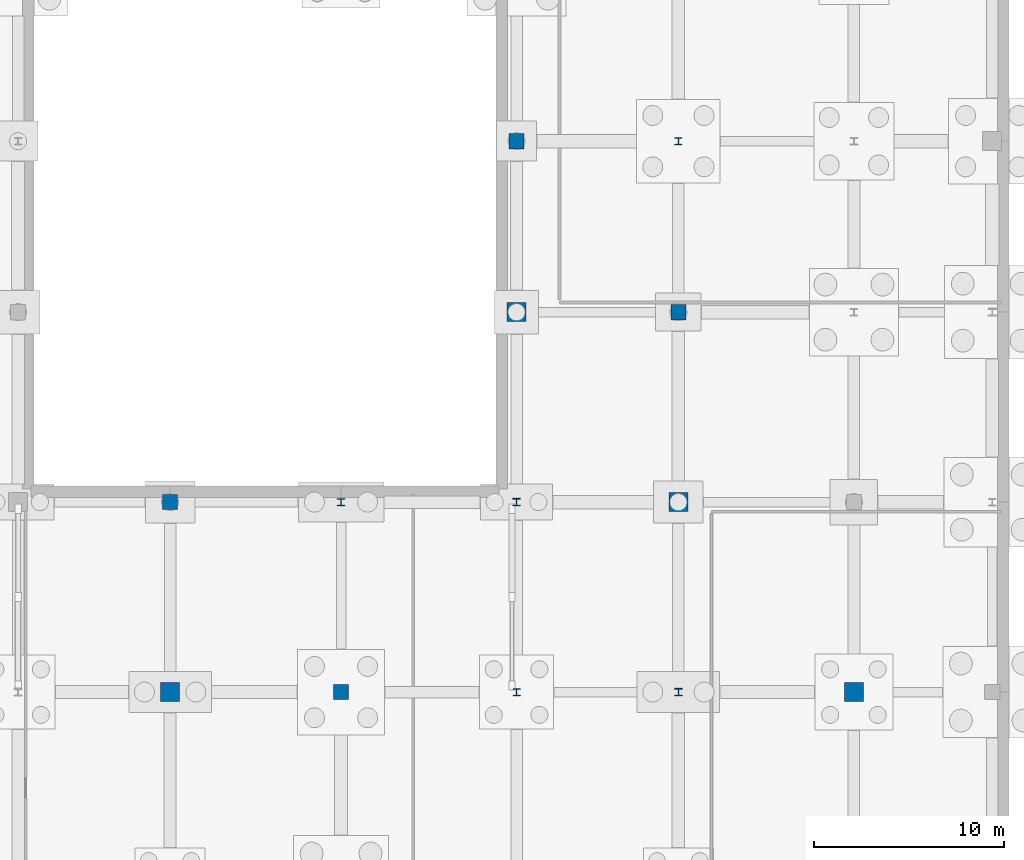
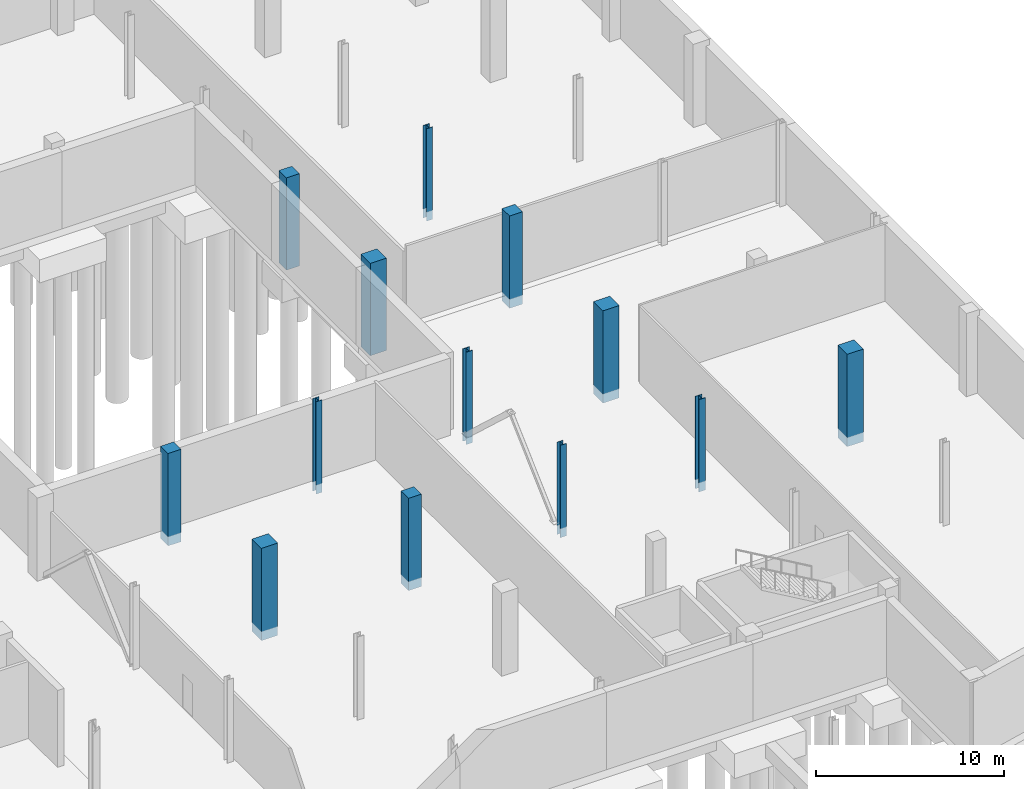
# One storey, part 33 of 60: 13 columns.
"""IFC4 building model written with IfcOpenShell, lengths in metres."""

from ifc_helpers import new_model, si_unit, direction, frame, origin, origin_2d, place, context, subcontext, project, spatial, rectangle, i_section, extrude, material, material_profile, profile_set, type_object, element, save


model = new_model("IFC4")

# Units and contexts
model_context = context("Model", 3, precision=1e-05, world=origin(), true_north=direction((0.0, 1.0)))
body_context = subcontext(model_context, "Body", "Model", "MODEL_VIEW")
ifc_project = project(units=[si_unit("LENGTHUNIT", "METRE"), si_unit("AREAUNIT", "SQUARE_METRE"), si_unit("VOLUMEUNIT", "CUBIC_METRE"), si_unit("PLANEANGLEUNIT", "RADIAN"), si_unit("MASSUNIT", "GRAM", prefix="KILO")], contexts=[model_context])

# Site, building, storey
site_placement = place(None, origin())
site = spatial("IfcSite", under=ifc_project, at=site_placement, CompositionType="ELEMENT")
building_placement = place(site_placement, origin())
building = spatial("IfcBuilding", under=site, at=building_placement, Name="Trimount Lyric Opera House", CompositionType="ELEMENT")
storey_placement = place(building_placement, frame((0.0, 0.0, -5.39990234375)))
storey = spatial("IfcBuildingStorey", under=building, at=storey_placement, Name="B1", CompositionType="ELEMENT", Elevation=-5.39990234375)

# Columns
ifc_material_1 = material(Name="Steel ASTM A992 Grade 50", Category="steel")
ifc_material_profile_1 = material_profile(ifc_material_1, i_section(OverallWidth=0.39892578125, OverallDepth=0.385986328125, WebThickness=0.02099609375, FlangeThickness=0.033203125, FilletRadius=0.01611328125, at=origin_2d()), Name="W14X176")
ifc_profile_set_1 = profile_set([ifc_material_profile_1], Name="Steel ASTM A992 Grade 50")
column_type_1 = type_object("IfcColumnType", Name="C-03", PredefinedType="COLUMN", material=ifc_profile_set_1)
for number, where, z_axis, x_axis, name in (
    (1, (148.239990234375, 74.0, -0.60009765625), (0.0, 0.0, 1.0), (1.0, 0.0, 0.0), "B1 column 17/J"),
    (2, (156.760009765625, 64.0, -0.60009765625), (0.0, 0.0, 1.0), (1.0, 0.0, 0.0), "B1 column 18/H"),
):
    element("IfcColumn", number, at=place(storey_placement, frame(where, z_axis=z_axis, x_axis=x_axis)), inside=storey, type_object=column_type_1, Name=name, PredefinedType="COLUMN", context=body_context, shape_type="SweptSolid", body=[
        extrude(i_section(OverallWidth=0.39892578125, OverallDepth=0.385986328125, WebThickness=0.02099609375, FlangeThickness=0.033203125, FilletRadius=0.01611328125, at=origin_2d()), origin(), (0.0, 0.0, 1.0), 6.0),
    ])
ifc_material_2 = material(Name="Steel ASTM A992 Grade 50", Category="steel")
ifc_material_profile_2 = material_profile(ifc_material_2, i_section(OverallWidth=0.373046875, OverallDepth=0.367919921875, WebThickness=0.014892578125, FlangeThickness=0.02392578125, FilletRadius=0.014892578125, at=origin_2d()), Name="W14X120")
ifc_profile_set_2 = profile_set([ifc_material_profile_2], Name="Steel ASTM A992 Grade 50")
column_type_2 = type_object("IfcColumnType", Name="C-08", PredefinedType="COLUMN", material=ifc_profile_set_2)
for number, where, z_axis, x_axis, name in (
    (3, (139.0, 74.0, -0.60009765625), (0.0, 0.0, 1.0), (1.0, 0.0, 0.0), "B1 column 16/J"),
    (4, (148.239990234375, 64.0, -0.60009765625), (0.0, 0.0, 1.0), (1.0, 0.0, 0.0), "B1 column 17/H"),
    (5, (156.760009765625, 93.0, -0.60009765625), (0.0, 0.0, 1.0), (1.0, 0.0, 0.0), "B1 column 18/L"),
):
    element("IfcColumn", number, at=place(storey_placement, frame(where, z_axis=z_axis, x_axis=x_axis)), inside=storey, type_object=column_type_2, Name=name, PredefinedType="COLUMN", context=body_context, shape_type="SweptSolid", body=[
        extrude(i_section(OverallWidth=0.373046875, OverallDepth=0.367919921875, WebThickness=0.014892578125, FlangeThickness=0.02392578125, FilletRadius=0.014892578125, at=origin_2d()), origin(), (0.0, 0.0, 1.0), 6.0),
    ])
ifc_material_3 = material(Name="Concrete C50/60", Category="concrete")
ifc_material_profile_3 = material_profile(ifc_material_3, rectangle(XDim=1.0, YDim=1.0, at=origin_2d()), Name="RC1000X1000")
ifc_profile_set_3 = profile_set([ifc_material_profile_3], Name="Concrete C50/60")
column_type_3 = type_object("IfcColumnType", Name="C-12", PredefinedType="COLUMN", material=ifc_profile_set_3)
for number, where, z_axis, x_axis, name in (
    (6, (130.0, 64.0, -0.60009765625), (0.0, 0.0, 1.0), (1.0, 0.0, 0.0), "B1 column 15/H"),
    (7, (148.239990234375, 84.0, -0.60009765625), (0.0, 0.0, 1.0), (1.0, 0.0, 0.0), "B1 column 17/K"),
    (8, (156.760009765625, 74.0, -0.60009765625), (0.0, 0.0, 1.0), (1.0, 0.0, 0.0), "B1 column 18/J"),
    (9, (166.0, 64.0, -0.60009765625), (0.0, 0.0, 1.0), (1.0, 0.0, 0.0), "B1 column 19/H"),
):
    element("IfcColumn", number, at=place(storey_placement, frame(where, z_axis=z_axis, x_axis=x_axis)), inside=storey, type_object=column_type_3, Name=name, PredefinedType="COLUMN", context=body_context, shape_type="SweptSolid", body=[
        extrude(rectangle(XDim=1.0, YDim=1.0, at=origin_2d()), origin(), (0.0, 0.0, 1.0), 6.0),
    ])
ifc_material_4 = material(Name="Concrete C40/50", Category="concrete")
ifc_material_profile_4 = material_profile(ifc_material_4, rectangle(XDim=0.800048828125, YDim=0.800048828125, at=origin_2d()), Name="RC800X800")
ifc_profile_set_4 = profile_set([ifc_material_profile_4], Name="Concrete C40/50")
column_type_4 = type_object("IfcColumnType", Name="C-14", PredefinedType="COLUMN", material=ifc_profile_set_4)
for number, where, z_axis, x_axis, name in (
    (10, (130.0, 74.0, -0.60009765625), (0.0, 0.0, 1.0), (1.0, 0.0, 0.0), "B1 column 15/J"),
    (11, (139.0, 64.0, -0.60009765625), (0.0, 0.0, 1.0), (1.0, 0.0, 0.0), "B1 column 16/H"),
    (12, (148.239990234375, 93.0, -0.60009765625), (0.0, 0.0, 1.0), (1.0, 0.0, 0.0), "B1 column 17/L"),
    (13, (156.760009765625, 84.0, -0.60009765625), (0.0, 0.0, 1.0), (1.0, 0.0, 0.0), "B1 column 18/K"),
):
    element("IfcColumn", number, at=place(storey_placement, frame(where, z_axis=z_axis, x_axis=x_axis)), inside=storey, type_object=column_type_4, Name=name, PredefinedType="COLUMN", context=body_context, shape_type="SweptSolid", body=[
        extrude(rectangle(XDim=0.800048828125, YDim=0.800048828125, at=origin_2d()), origin(), (0.0, 0.0, 1.0), 6.0),
    ])

save(model, "model.ifc")
